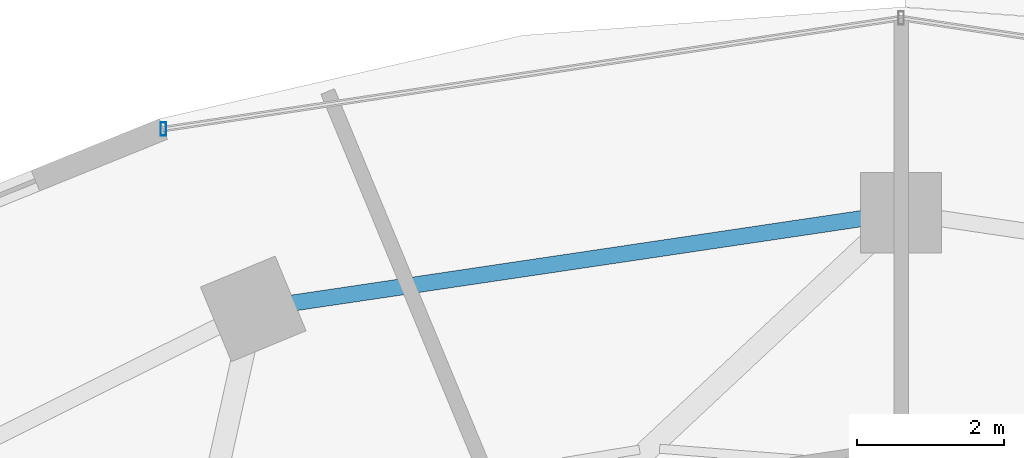
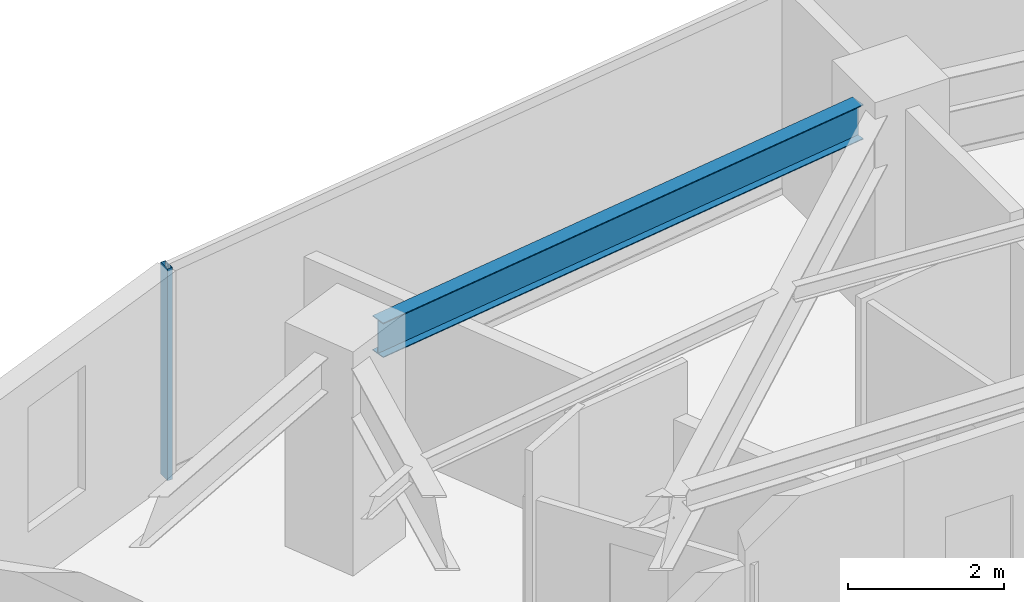
# One storey, part 19 of 31: 1 beam, 1 member, 1 element without a shape of its own.
"""IFC4 building model written with IfcOpenShell, lengths in metres."""

import ifcopenshell
import ifcopenshell.guid

model = None  # the IFC model being written
_history = None  # IfcOwnerHistory: only IFC2X3 demands one
_inside = {}  # id of a spatial element -> (the spatial element, [elements in it])
_under = {}  # id of a project, library or spatial element -> (it, [spatial elements below it])
_declared = {}  # id of a project -> (the project, [libraries it declares])
_typed = {}  # id of a type object -> (the type object, [elements of that type])
_made_of = {}  # id of a material, layer set ... -> (it, [elements and type objects made of it])


def new_model(schema):
    """Start an empty IFC model of exactly this schema.

    Asked for "IFC4X3", IfcOpenShell would pick the latest addendum, in which some entities
    have other attributes; the version numbers below select the first issue.
    IFC2X3 requires an IfcOwnerHistory on every rooted entity: one is made here for all.
    """
    global model, _history
    if schema == "IFC4X3":
        model = ifcopenshell.file(schema_version=(4, 3, 0, 0))
    else:
        model = ifcopenshell.file(schema=schema)
    _inside.clear()
    _under.clear()
    _declared.clear()
    _typed.clear()
    _made_of.clear()
    _history = None
    if model.schema == "IFC2X3":
        org = make("IfcOrganization", Name="unknown")
        user = make(
            "IfcPersonAndOrganization",
            ThePerson=make("IfcPerson", FamilyName="unknown"),
            TheOrganization=org,
        )
        app = make(
            "IfcApplication",
            ApplicationDeveloper=org,
            Version="unknown",
            ApplicationFullName="unknown",
            ApplicationIdentifier="unknown",
        )
        _history = make(
            "IfcOwnerHistory",
            OwningUser=user,
            OwningApplication=app,
            ChangeAction="ADDED",
            CreationDate=0,
        )
    return model


def make(cls, **values):
    """One entity of the class cls with the attributes given. An attribute that is None is left unset."""
    return model.create_entity(
        cls, **{name: value for name, value in values.items() if value is not None}
    )


def rooted(cls, **values):
    """An entity with a GlobalId (a new one), such as an element, a storey or a relation."""
    return make(cls, GlobalId=ifcopenshell.guid.new(), OwnerHistory=_history, **values)


def si_unit(unit_type, name, prefix=None):
    """IfcSIUnit, for example si_unit("LENGTHUNIT", "METRE", prefix="MILLI")."""
    return make("IfcSIUnit", UnitType=unit_type, Prefix=prefix, Name=name)


def assignment(units):
    """IfcUnitAssignment: the units of a project."""
    return None if units is None else make("IfcUnitAssignment", Units=units)


def point(xyz):
    """IfcCartesianPoint."""
    return None if xyz is None else make("IfcCartesianPoint", Coordinates=xyz)


def direction(xyz):
    """IfcDirection."""
    return None if xyz is None else make("IfcDirection", DirectionRatios=xyz)


def frame(location, z_axis=None, x_axis=None):
    """IfcAxis2Placement3D, a coordinate frame: its origin and axes. An axis left out is left unset."""
    return make(
        "IfcAxis2Placement3D",
        Location=point(location),
        Axis=direction(z_axis),
        RefDirection=direction(x_axis),
    )


def frame_2d(location, x_axis=None):
    """IfcAxis2Placement2D, a coordinate frame in the plane: its origin and x axis."""
    return make(
        "IfcAxis2Placement2D", Location=point(location), RefDirection=direction(x_axis)
    )


def origin():
    """The frame at (0, 0, 0) with its axes left unset."""
    return frame((0.0, 0.0, 0.0))


def origin_2d():
    """The frame at (0, 0) in the plane with its x axis left unset."""
    return frame_2d((0.0, 0.0))


def place(relative_to, where):
    """IfcLocalPlacement: puts the frame where relative to a parent placement (None: the world)."""
    return make(
        "IfcLocalPlacement", PlacementRelTo=relative_to, RelativePlacement=where
    )


def context(
    kind, dimensions, precision=None, world=None, true_north=None, identifier=None
):
    """IfcGeometricRepresentationContext, for example the 3D "Model" context."""
    return make(
        "IfcGeometricRepresentationContext",
        ContextIdentifier=identifier,
        ContextType=kind,
        CoordinateSpaceDimension=dimensions,
        Precision=precision,
        WorldCoordinateSystem=world,
        TrueNorth=true_north,
    )


def subcontext(parent, identifier, kind, view, scale=None):
    """IfcGeometricRepresentationSubContext, for example "Body" below "Model"."""
    return make(
        "IfcGeometricRepresentationSubContext",
        ContextIdentifier=identifier,
        ContextType=kind,
        ParentContext=parent,
        TargetScale=scale,
        TargetView=view,
    )


def project(units=None, contexts=None):
    """IfcProject with its units and contexts."""
    return rooted(
        "IfcProject",
        Name="project",
        RepresentationContexts=contexts,
        UnitsInContext=assignment(units),
    )


def spatial(cls, under=None, at=None, **own):
    """A site, building, storey or space (cls), placed at a placement, below another one or the project."""
    s = rooted(cls, ObjectPlacement=at, **own)
    if under is not None:
        _under.setdefault(under.id(), (under, []))[1].append(s)
    return s


def profile(cls, at=None, kind="AREA", **sizes):
    """A parametric profile (cls). Its sizes go by their IFC names, for example OverallWidth=200.0."""
    return make(cls, ProfileType=kind, Position=at, **sizes)


def hollow_rectangle(**sizes):
    """IfcRectangleHollowProfileDef."""
    return profile("IfcRectangleHollowProfileDef", **sizes)


def i_section(**sizes):
    """IfcIShapeProfileDef."""
    return profile("IfcIShapeProfileDef", **sizes)


def extrude(swept, where, along, depth):
    """IfcExtrudedAreaSolid: the profile swept, set in the frame where, extruded along a direction by depth."""
    return make(
        "IfcExtrudedAreaSolid",
        SweptArea=swept,
        Position=where,
        ExtrudedDirection=direction(along),
        Depth=depth,
    )


def shape(context_of_items, identifier, shape_type, items):
    """IfcShapeRepresentation: the items that make up one representation, for example the "Body"."""
    return make(
        "IfcShapeRepresentation",
        ContextOfItems=context_of_items,
        RepresentationIdentifier=identifier,
        RepresentationType=shape_type,
        Items=items,
    )


def material(Name=None, Category=None):
    """IfcMaterial."""
    return make("IfcMaterial", Name=Name, Category=Category)


def material_profile(
    of_material, cross_section, Name=None, Category=None, Priority=None
):
    """IfcMaterialProfile: a cross section and its material."""
    return make(
        "IfcMaterialProfile",
        Name=Name,
        Material=of_material,
        Profile=cross_section,
        Priority=Priority,
        Category=Category,
    )


def profile_set(profiles, Name=None, composite=None):
    """IfcMaterialProfileSet."""
    return make(
        "IfcMaterialProfileSet",
        Name=Name,
        MaterialProfiles=profiles,
        CompositeProfile=composite,
    )


def made_of(thing, what):
    """Note that an element or type object is made of a material, layer set ...; save() writes the relation."""
    if what is not None:
        _made_of.setdefault(what.id(), (what, []))[1].append(thing)
    return thing


def type_object(cls, material=None, **own):
    """A type object (cls), such as IfcWallType, which elements share."""
    return made_of(rooted(cls, **own), material)


def element(
    cls,
    number,
    at=None,
    inside=None,
    cuts=None,
    type_object=None,
    material=None,
    context=None,
    identifier="Body",
    shape_type=None,
    held_by="IfcProductDefinitionShape",
    body=None,
    shapes=None,
    **own,
):
    """One element of the class cls, such as IfcWall. Its Tag is "e" and its number.

    at: its placement. inside: the storey or other place that contains it. cuts: it is an
    opening in that element (IfcRelVoidsElement). A single representation is given by context,
    identifier, shape_type and body (its items); several are given by shapes. held_by: the class
    of the entity that holds the representations. save() writes the other relations.
    """
    e = rooted(cls, Tag="e%d" % number, ObjectPlacement=at, **own)
    if body is not None:
        shapes = [shape(context, identifier, shape_type, body)]
    if shapes is not None:
        e.Representation = make(held_by, Representations=shapes)
    if inside is not None:
        _inside.setdefault(inside.id(), (inside, []))[1].append(e)
    if cuts is not None:
        rooted(
            "IfcRelVoidsElement", RelatingBuildingElement=cuts, RelatedOpeningElement=e
        )
    if type_object is not None:
        _typed.setdefault(type_object.id(), (type_object, []))[1].append(e)
    return made_of(e, material)


def aggregate(whole, parts):
    """IfcRelAggregates: a whole, such as a stair, and the parts it consists of."""
    return rooted("IfcRelAggregates", RelatingObject=whole, RelatedObjects=parts)


def save(model, path):
    """Write the relations noted so far, then the file.

    IfcRelAggregates (storeys below a building ...), IfcRelContainedInSpatialStructure (elements
    in a storey), IfcRelDefinesByType, IfcRelAssociatesMaterial and IfcRelDeclares: one each for
    every whole, place, type object, material and project.
    """
    for whole, parts in _under.values():
        aggregate(whole, parts)
    for where, things in _inside.values():
        rooted(
            "IfcRelContainedInSpatialStructure",
            RelatedElements=things,
            RelatingStructure=where,
        )
    for kind, things in _typed.values():
        rooted("IfcRelDefinesByType", RelatedObjects=things, RelatingType=kind)
    for what, things in _made_of.values():
        rooted("IfcRelAssociatesMaterial", RelatedObjects=things, RelatingMaterial=what)
    for by, libraries in _declared.values():
        rooted("IfcRelDeclares", RelatingContext=by, RelatedDefinitions=libraries)
    model.write(path)


model = new_model("IFC4")

# Units and contexts
model_context = context("Model", 3, precision=1e-05, world=origin(), true_north=direction((0.0, 1.0)))
body_context = subcontext(model_context, "Body", "Model", "MODEL_VIEW")
ifc_project = project(units=[si_unit("LENGTHUNIT", "METRE"), si_unit("AREAUNIT", "SQUARE_METRE"), si_unit("VOLUMEUNIT", "CUBIC_METRE"), si_unit("PLANEANGLEUNIT", "RADIAN"), si_unit("MASSUNIT", "GRAM", prefix="KILO")], contexts=[model_context])

# Site, building, storey
site_placement = place(None, origin())
site = spatial("IfcSite", under=ifc_project, at=site_placement, CompositionType="ELEMENT")
building_placement = place(site_placement, origin())
building = spatial("IfcBuilding", under=site, at=building_placement, Name="Vorneva Point Tower", CompositionType="ELEMENT")
storey_placement = place(building_placement, frame((0.0, 0.0, 99.800048828125)))
storey = spatial("IfcBuildingStorey", under=building, at=storey_placement, Name="L26", CompositionType="ELEMENT", Elevation=99.800048828125)

# Beam
ifc_material_1 = material(Name="Steel S355", Category="steel")
ifc_material_profile_1 = material_profile(ifc_material_1, i_section(OverallWidth=0.219970703125, OverallDepth=0.54296875, WebThickness=0.009521484375, FlangeThickness=0.013427734375, at=origin_2d()), Name="55B1")
ifc_profile_set_1 = profile_set([ifc_material_profile_1], Name="Steel S355")
beam_type = type_object("IfcBeamType", Name="BM-SPN-55B1", PredefinedType="SPANDREL", material=ifc_profile_set_1)
beam_placement = place(storey_placement, frame((37.470703125, 43.121337890625, 2.968505859375), z_axis=(-0.989164507783, -0.146811363806, 0.0), x_axis=(0.146811363806, -0.989164507783, 0.0)))
element("IfcBeam", 1, at=beam_placement, inside=storey, type_object=beam_type, Name="L26 Perimeter Spandrel Ring Beam 05", PredefinedType="SPANDREL", context=body_context, shape_type="SweptSolid", body=[
    extrude(i_section(OverallWidth=0.219970703125, OverallDepth=0.54296875, WebThickness=0.009521484375, FlangeThickness=0.013427734375, at=origin_2d()), origin(), (0.0, 0.0, 1.0), 7.847412109375),
])

# Curtain wall, member
ifc_material_2 = material(Name="Pale anodised aluminium", Category="aluminium")
curtain_wall_type = type_object("IfcCurtainWallType", Name="CW-HTL-SYS", PredefinedType="NOTDEFINED", material=ifc_material_2)
curtain_wall_placement = place(storey_placement, origin())
curtain_wall = element("IfcCurtainWall", 2, at=curtain_wall_placement, inside=storey, type_object=curtain_wall_type, Name="L26 Unitised Curtain Wall CW-L26-R02", PredefinedType="NOTDEFINED")
ifc_material_profile_2 = material_profile(ifc_material_2, hollow_rectangle(XDim=0.074951171875, YDim=0.179931640625, WallThickness=0.00390625, at=origin_2d()), Name="AL-MUL 180x75x4")
ifc_profile_set_2 = profile_set([ifc_material_profile_2], Name="Pale anodised aluminium")
member_type = type_object("IfcMemberType", Name="CW-MUL-180", PredefinedType="MULLION", material=ifc_profile_set_2)
member_placement = place(storey_placement, frame((27.95458984375, 44.339111328125, -0.0400390625), z_axis=(0.0, 0.0, 1.0), x_axis=(1.0, 0.0, 0.0)))
member = element("IfcMember", 3, at=member_placement, type_object=member_type, Name="CW-L26-R02 Mullion 04", PredefinedType="MULLION", context=body_context, shape_type="SweptSolid", body=[
    extrude(hollow_rectangle(XDim=0.074951171875, YDim=0.179931640625, WallThickness=0.00390625, at=origin_2d()), origin(), (0.0, 0.0, 1.0), 3.31005859375),
])
aggregate(curtain_wall, [member])

save(model, "model.ifc")
